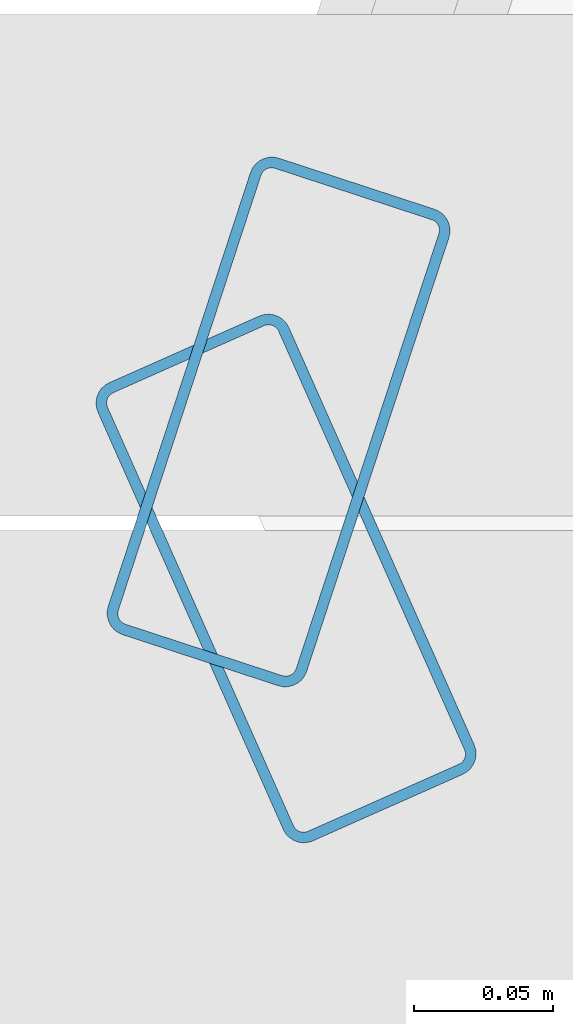
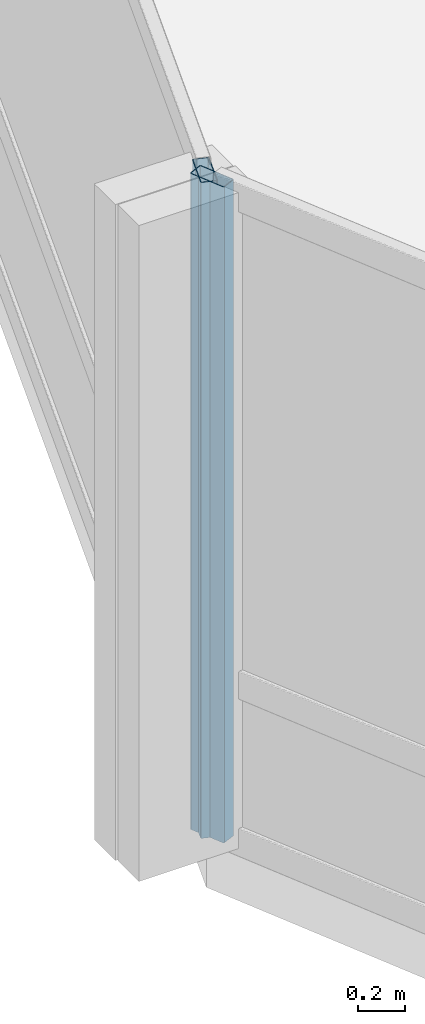
# One storey, part 6 of 34: 2 members, 2 elements without a shape of their own.
"""IFC4 building model written with IfcOpenShell, lengths in metres."""

from ifc_helpers import new_model, si_unit, direction, frame, origin, origin_2d, place, context, subcontext, project, spatial, hollow_rectangle, extrude, material, layer, layer_set, material_profile, profile_set, type_object, element, aggregate, save


model = new_model("IFC4")

# Units and contexts
model_context = context("Model", 3, precision=1e-05, world=origin(), true_north=direction((0.0, 1.0)))
body_context = subcontext(model_context, "Body", "Model", "MODEL_VIEW")
ifc_project = project(units=[si_unit("LENGTHUNIT", "METRE"), si_unit("AREAUNIT", "SQUARE_METRE"), si_unit("VOLUMEUNIT", "CUBIC_METRE"), si_unit("PLANEANGLEUNIT", "RADIAN"), si_unit("MASSUNIT", "GRAM", prefix="KILO")], contexts=[model_context])

# Site, building, storey
site_placement = place(None, origin())
site = spatial("IfcSite", under=ifc_project, at=site_placement, CompositionType="ELEMENT")
building_placement = place(site_placement, origin())
building = spatial("IfcBuilding", under=site, at=building_placement, Name="Solvaryn Broadcast Tower", CompositionType="ELEMENT")
storey_placement = place(building_placement, frame((0.0, 0.0, 50.800048828125)))
storey = spatial("IfcBuildingStorey", under=building, at=storey_placement, Name="L11", CompositionType="ELEMENT", Elevation=50.800048828125)

# Curtain wall, member
ifc_material_1 = material(Name="Aluminium and Terracotta Unitised Curtain Wall", Category="masonry")
ifc_layer = layer(ifc_material_1, 0.199951171875)
ifc_layer_set = layer_set([ifc_layer], Name="CW-SYS2-LOWMID")
curtain_wall_type = type_object("IfcCurtainWallType", Name="CW-SYS2-LOWMID", PredefinedType="NOTDEFINED", material=ifc_layer_set)
curtain_wall_1_placement = place(storey_placement, origin())
curtain_wall_1 = element("IfcCurtainWall", 1, at=curtain_wall_1_placement, inside=storey, type_object=curtain_wall_type, Name="L11 Curtain Wall DR1", PredefinedType="NOTDEFINED")
ifc_material_2 = material(Name="Anodised Aluminium 6063-T6", Category="aluminium")
ifc_material_profile = material_profile(ifc_material_2, hollow_rectangle(XDim=0.074951171875, YDim=0.179931640625, WallThickness=0.00390625, InnerFilletRadius=0.00390625, OuterFilletRadius=0.008056640625, at=origin_2d()))
ifc_profile_set = profile_set([ifc_material_profile], Name="Anodised Aluminium 6063-T6")
member_type = type_object("IfcMemberType", Name="CW-MUL-180", PredefinedType="MULLION", material=ifc_profile_set)
member_1_placement = place(storey_placement, frame((-0.45458984375, 26.588623046875, 0.0), z_axis=(0.0, 0.0, 1.0), x_axis=(0.950215318429, -0.311594044587, 0.0)))
member_1 = element("IfcMember", 2, at=member_1_placement, type_object=member_type, Name="CWS2 mullion 2", PredefinedType="MULLION", context=body_context, shape_type="SweptSolid", body=[
    extrude(hollow_rectangle(XDim=0.074951171875, YDim=0.179931640625, WallThickness=0.00390625, InnerFilletRadius=0.00390625, OuterFilletRadius=0.008056640625, at=origin_2d()), origin(), (0.0, 0.0, 1.0), 3.419921875),
])
aggregate(curtain_wall_1, [member_1])

curtain_wall_2_placement = place(storey_placement, origin())
curtain_wall_2 = element("IfcCurtainWall", 3, at=curtain_wall_2_placement, inside=storey, type_object=curtain_wall_type, Name="L11 Curtain Wall DR2", PredefinedType="NOTDEFINED")
member_2_placement = place(storey_placement, frame((-0.451904296875, 26.532470703125, 0.0), z_axis=(0.0, 0.0, 1.0), x_axis=(0.913918257271, 0.405898286554, 0.0)))
member_2 = element("IfcMember", 4, at=member_2_placement, type_object=member_type, Name="CWS2 mullion 1", PredefinedType="MULLION", context=body_context, shape_type="SweptSolid", body=[
    extrude(hollow_rectangle(XDim=0.074951171875, YDim=0.179931640625, WallThickness=0.00390625, InnerFilletRadius=0.00390625, OuterFilletRadius=0.008056640625, at=origin_2d()), origin(), (0.0, 0.0, 1.0), 3.419921875),
])
aggregate(curtain_wall_2, [member_2])

save(model, "model.ifc")
